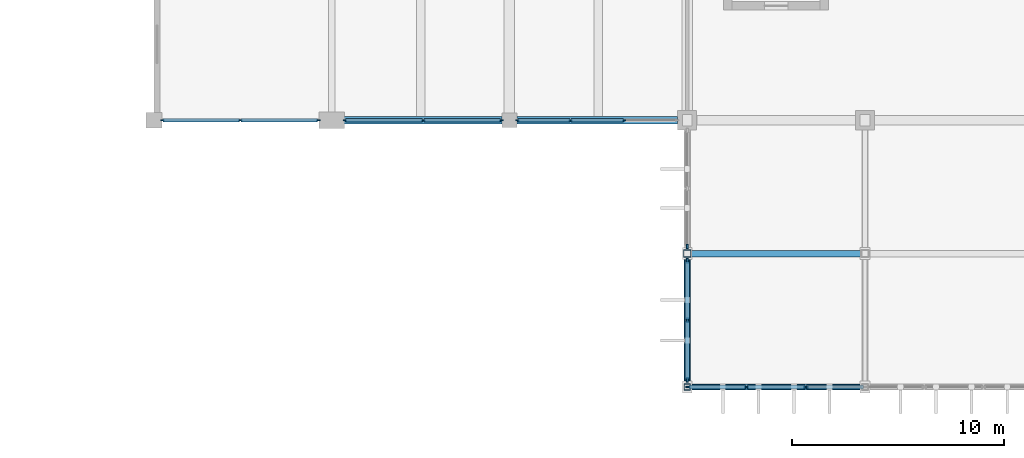
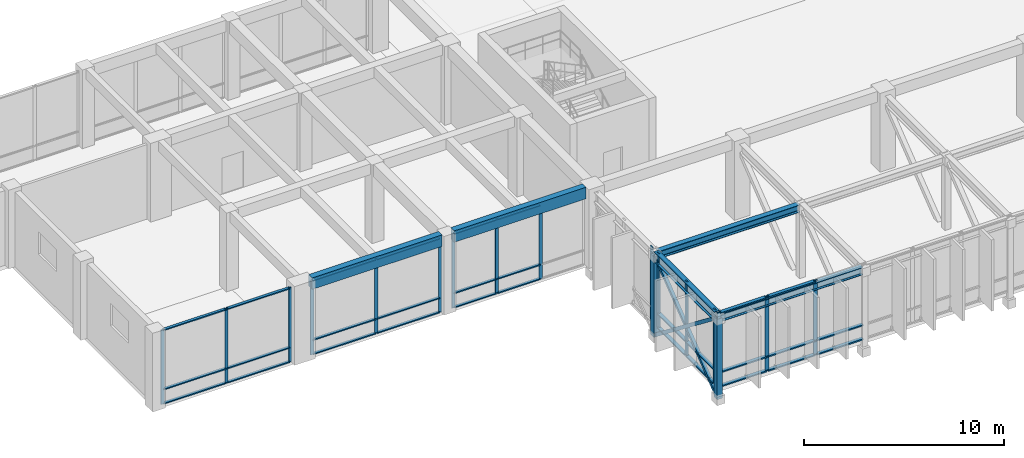
# One storey, part 4 of 51: 52 members, 5 beams, 6 elements without a shape of their own.
"""IFC4 building model written with IfcOpenShell, lengths in metres."""

from ifc_helpers import new_model, si_unit, direction, frame, origin, origin_2d, place, context, subcontext, project, spatial, rectangle, hollow_rectangle, i_section, extrude, material, material_profile, profile_set, type_object, element, aggregate, save


model = new_model("IFC4")

# Units and contexts
model_context = context("Model", 3, precision=1e-05, world=origin(), true_north=direction((0.0, 1.0)))
body_context = subcontext(model_context, "Body", "Model", "MODEL_VIEW")
ifc_project = project(units=[si_unit("LENGTHUNIT", "METRE"), si_unit("AREAUNIT", "SQUARE_METRE"), si_unit("VOLUMEUNIT", "CUBIC_METRE"), si_unit("PLANEANGLEUNIT", "RADIAN"), si_unit("MASSUNIT", "GRAM", prefix="KILO")], contexts=[model_context])

# Site, building, storey
site_placement = place(None, origin())
site = spatial("IfcSite", under=ifc_project, at=site_placement, CompositionType="ELEMENT")
building_placement = place(site_placement, origin())
building = spatial("IfcBuilding", under=site, at=building_placement, Name="Kenerak Square Central Library", CompositionType="ELEMENT")
storey_placement = place(building_placement, frame((0.0, 0.0, 9.60009765625)))
storey = spatial("IfcBuildingStorey", under=building, at=storey_placement, Name="L02", CompositionType="ELEMENT", Elevation=9.60009765625)

# Curtain wall, members
ifc_material_1 = material(Name="Anodised aluminium and solar-control low-E glazing", Category="aluminium")
curtain_wall_type_1 = type_object("IfcCurtainWallType", Name="Curtain Wall CW-V6-76x45 7600x4550", PredefinedType="USERDEFINED", material=ifc_material_1)
curtain_wall_1_placement = place(storey_placement, origin())
curtain_wall_1 = element("IfcCurtainWall", 1, at=curtain_wall_1_placement, inside=storey, type_object=curtain_wall_type_1, Name="Curtain Wall CW-V6-76x45 L02 0106", ObjectType="CURTAIN WALL", PredefinedType="USERDEFINED")
ifc_material_2 = material(Name="Anodised aluminium 6063-T6", Category="aluminium")
ifc_material_profile_1 = material_profile(ifc_material_2, rectangle(XDim=0.06494140625, YDim=0.179931640625, at=origin_2d()), Name="AL MULLION 65x180")
ifc_profile_set_1 = profile_set([ifc_material_profile_1], Name="Anodised aluminium 6063-T6")
member_type_1 = type_object("IfcMemberType", Name="Curtain Mullion CM-01 65x180", PredefinedType="MULLION", material=ifc_profile_set_1)
member_1_placement = place(storey_placement, frame((55.416748046875, 16.800048828125, 0.0), z_axis=(0.0, 0.0, 1.0), x_axis=(0.0, -1.0, 0.0)))
member_1 = element("IfcMember", 2, at=member_1_placement, type_object=member_type_1, Name="CW-V6-76x45 Mullion 2", PredefinedType="MULLION", context=body_context, shape_type="SweptSolid", body=[
    extrude(rectangle(XDim=0.06494140625, YDim=0.179931640625, at=origin_2d()), origin(), (0.0, 0.0, 1.0), 4.5498046875),
])
member_2_placement = place(storey_placement, frame((52.88330078125, 16.800048828125, 0.0), z_axis=(0.0, 0.0, 1.0), x_axis=(0.0, -1.0, 0.0)))
member_2 = element("IfcMember", 3, at=member_2_placement, type_object=member_type_1, Name="CW-V6-76x45 Mullion 3", PredefinedType="MULLION", context=body_context, shape_type="SweptSolid", body=[
    extrude(rectangle(XDim=0.06494140625, YDim=0.179931640625, at=origin_2d()), origin(), (0.0, 0.0, 1.0), 4.5498046875),
])
member_3_placement = place(storey_placement, frame((50.382568359375, 16.800048828125, 0.0), z_axis=(0.0, 0.0, 1.0), x_axis=(0.0, -1.0, 0.0)))
member_3 = element("IfcMember", 4, at=member_3_placement, type_object=member_type_1, Name="CW-V6-76x45 Mullion 4", PredefinedType="MULLION", context=body_context, shape_type="SweptSolid", body=[
    extrude(rectangle(XDim=0.06494140625, YDim=0.179931640625, at=origin_2d()), origin(), (0.0, 0.0, 1.0), 4.5498046875),
])

curtain_wall_type_2 = type_object("IfcCurtainWallType", Name="Curtain Wall CW-V6-74x45 7450x4550", PredefinedType="USERDEFINED", material=ifc_material_1)
curtain_wall_2_placement = place(storey_placement, origin())
curtain_wall_2 = element("IfcCurtainWall", 5, at=curtain_wall_2_placement, inside=storey, type_object=curtain_wall_type_2, Name="Curtain Wall CW-V6-74x45 L02 0107", ObjectType="CURTAIN WALL", PredefinedType="USERDEFINED")
member_4_placement = place(storey_placement, frame((49.617431640625, 16.800048828125, 0.0), z_axis=(0.0, 0.0, 1.0), x_axis=(0.0, -1.0, 0.0)))
member_4 = element("IfcMember", 6, at=member_4_placement, type_object=member_type_1, Name="CW-V6-74x45 Mullion 1", PredefinedType="MULLION", context=body_context, shape_type="SweptSolid", body=[
    extrude(rectangle(XDim=0.06494140625, YDim=0.179931640625, at=origin_2d()), origin(), (0.0, 0.0, 1.0), 4.5498046875),
])
member_5_placement = place(storey_placement, frame((45.925048828125, 16.800048828125, 0.0), z_axis=(0.0, 0.0, 1.0), x_axis=(0.0, -1.0, 0.0)))
member_5 = element("IfcMember", 7, at=member_5_placement, type_object=member_type_1, Name="CW-V6-74x45 Mullion 2", PredefinedType="MULLION", context=body_context, shape_type="SweptSolid", body=[
    extrude(rectangle(XDim=0.06494140625, YDim=0.179931640625, at=origin_2d()), origin(), (0.0, 0.0, 1.0), 4.5498046875),
])
member_6_placement = place(storey_placement, frame((42.232421875, 16.800048828125, 0.0), z_axis=(0.0, 0.0, 1.0), x_axis=(0.0, -1.0, 0.0)))
member_6 = element("IfcMember", 8, at=member_6_placement, type_object=member_type_1, Name="CW-V6-74x45 Mullion 3", PredefinedType="MULLION", context=body_context, shape_type="SweptSolid", body=[
    extrude(rectangle(XDim=0.06494140625, YDim=0.179931640625, at=origin_2d()), origin(), (0.0, 0.0, 1.0), 4.5498046875),
])

curtain_wall_type_3 = type_object("IfcCurtainWallType", Name="Curtain Wall CW-V6-74x45 7425x4550", PredefinedType="USERDEFINED", material=ifc_material_1)
curtain_wall_3_placement = place(storey_placement, origin())
curtain_wall_3 = element("IfcCurtainWall", 9, at=curtain_wall_3_placement, inside=storey, type_object=curtain_wall_type_3, Name="Curtain Wall CW-V6-74x45 L02 0108", ObjectType="CURTAIN WALL", PredefinedType="USERDEFINED")
member_7_placement = place(storey_placement, frame((40.967529296875, 16.800048828125, 0.0), z_axis=(0.0, 0.0, 1.0), x_axis=(0.0, -1.0, 0.0)))
member_7 = element("IfcMember", 10, at=member_7_placement, type_object=member_type_1, Name="CW-V6-74x45 Mullion 1", PredefinedType="MULLION", context=body_context, shape_type="SweptSolid", body=[
    extrude(rectangle(XDim=0.06494140625, YDim=0.179931640625, at=origin_2d()), origin(), (0.0, 0.0, 1.0), 4.5498046875),
])
member_8_placement = place(storey_placement, frame((37.28759765625, 16.800048828125, 0.0), z_axis=(0.0, 0.0, 1.0), x_axis=(0.0, -1.0, 0.0)))
member_8 = element("IfcMember", 11, at=member_8_placement, type_object=member_type_1, Name="CW-V6-74x45 Mullion 2", PredefinedType="MULLION", context=body_context, shape_type="SweptSolid", body=[
    extrude(rectangle(XDim=0.06494140625, YDim=0.179931640625, at=origin_2d()), origin(), (0.0, 0.0, 1.0), 4.5498046875),
])
member_9_placement = place(storey_placement, frame((33.607421875, 16.800048828125, 0.0), z_axis=(0.0, 0.0, 1.0), x_axis=(0.0, -1.0, 0.0)))
member_9 = element("IfcMember", 12, at=member_9_placement, type_object=member_type_1, Name="CW-V6-74x45 Mullion 3", PredefinedType="MULLION", context=body_context, shape_type="SweptSolid", body=[
    extrude(rectangle(XDim=0.06494140625, YDim=0.179931640625, at=origin_2d()), origin(), (0.0, 0.0, 1.0), 4.5498046875),
])

curtain_wall_type_4 = type_object("IfcCurtainWallType", Name="Curtain Wall CW-V1-84x45 8400x4550", PredefinedType="USERDEFINED", material=ifc_material_1)
curtain_wall_4_placement = place(storey_placement, origin())
curtain_wall_4 = element("IfcCurtainWall", 13, at=curtain_wall_4_placement, inside=storey, type_object=curtain_wall_type_4, Name="Curtain Wall CW-V1-84x45 L02 0103", ObjectType="CURTAIN WALL", PredefinedType="USERDEFINED")
ifc_material_profile_2 = material_profile(ifc_material_2, rectangle(XDim=0.074951171875, YDim=0.219970703125, at=origin_2d()), Name="AL MULLION 75x220")
ifc_profile_set_2 = profile_set([ifc_material_profile_2], Name="Anodised aluminium 6063-T6")
member_type_2 = type_object("IfcMemberType", Name="Curtain Mullion CM-02 75x220", PredefinedType="MULLION", material=ifc_profile_set_2)
member_10_placement = place(storey_placement, frame((64.0, 4.199951171875, 0.0), z_axis=(0.0, 0.0, 1.0), x_axis=(0.0, -1.0, 0.0)))
member_10 = element("IfcMember", 14, at=member_10_placement, type_object=member_type_2, Name="CW-V1-84x45 Mullion 2", PredefinedType="MULLION", context=body_context, shape_type="SweptSolid", body=[
    extrude(rectangle(XDim=0.074951171875, YDim=0.219970703125, at=origin_2d()), origin(), (0.0, 0.0, 1.0), 4.5498046875),
])
member_11_placement = place(storey_placement, frame((61.199951171875, 4.199951171875, 0.0), z_axis=(0.0, 0.0, 1.0), x_axis=(0.0, -1.0, 0.0)))
member_11 = element("IfcMember", 15, at=member_11_placement, type_object=member_type_2, Name="CW-V1-84x45 Mullion 3", PredefinedType="MULLION", context=body_context, shape_type="SweptSolid", body=[
    extrude(rectangle(XDim=0.074951171875, YDim=0.219970703125, at=origin_2d()), origin(), (0.0, 0.0, 1.0), 4.5498046875),
])
member_12_placement = place(storey_placement, frame((58.4375, 4.199951171875, 0.0), z_axis=(0.0, 0.0, 1.0), x_axis=(0.0, -1.0, 0.0)))
member_12 = element("IfcMember", 16, at=member_12_placement, type_object=member_type_2, Name="CW-V1-84x45 Mullion 4", PredefinedType="MULLION", context=body_context, shape_type="SweptSolid", body=[
    extrude(rectangle(XDim=0.074951171875, YDim=0.219970703125, at=origin_2d()), origin(), (0.0, 0.0, 1.0), 4.5498046875),
])

curtain_wall_type_5 = type_object("IfcCurtainWallType", Name="Curtain Wall CW-V1-57x45 5700x4550", PredefinedType="USERDEFINED", material=ifc_material_1)
curtain_wall_5_placement = place(storey_placement, origin())
curtain_wall_5 = element("IfcCurtainWall", 17, at=curtain_wall_5_placement, inside=storey, type_object=curtain_wall_type_5, Name="Curtain Wall CW-V1-57x45 L02 0104", ObjectType="CURTAIN WALL", PredefinedType="USERDEFINED")
member_13_placement = place(storey_placement, frame((58.39990234375, 4.53759765625, 0.0), z_axis=(0.0, 0.0, 1.0), x_axis=(-1.0, 0.0, 0.0)))
member_13 = element("IfcMember", 18, at=member_13_placement, type_object=member_type_2, Name="CW-V1-57x45 Mullion 1", PredefinedType="MULLION", context=body_context, shape_type="SweptSolid", body=[
    extrude(rectangle(XDim=0.074951171875, YDim=0.219970703125, at=origin_2d()), origin(), (0.0, 0.0, 1.0), 4.5498046875),
])
member_14_placement = place(storey_placement, frame((58.39990234375, 7.35009765625, 0.0), z_axis=(0.0, 0.0, 1.0), x_axis=(-1.0, 0.0, 0.0)))
member_14 = element("IfcMember", 19, at=member_14_placement, type_object=member_type_2, Name="CW-V1-57x45 Mullion 2", PredefinedType="MULLION", context=body_context, shape_type="SweptSolid", body=[
    extrude(rectangle(XDim=0.074951171875, YDim=0.219970703125, at=origin_2d()), origin(), (0.0, 0.0, 1.0), 4.5498046875),
])
member_15_placement = place(storey_placement, frame((58.39990234375, 10.16259765625, 0.0), z_axis=(0.0, 0.0, 1.0), x_axis=(-1.0, 0.0, 0.0)))
member_15 = element("IfcMember", 20, at=member_15_placement, type_object=member_type_2, Name="CW-V1-57x45 Mullion 3", PredefinedType="MULLION", context=body_context, shape_type="SweptSolid", body=[
    extrude(rectangle(XDim=0.074951171875, YDim=0.219970703125, at=origin_2d()), origin(), (0.0, 0.0, 1.0), 4.5498046875),
])

# Curtain wall, member
curtain_wall_type_6 = type_object("IfcCurtainWallType", Name="Curtain Wall CW-V1-55x45 5550x4550", PredefinedType="USERDEFINED", material=ifc_material_1)
curtain_wall_6_placement = place(storey_placement, origin())
curtain_wall_6 = element("IfcCurtainWall", 21, at=curtain_wall_6_placement, inside=storey, type_object=curtain_wall_type_6, Name="Curtain Wall CW-V1-55x45 L02 0105", ObjectType="CURTAIN WALL", PredefinedType="USERDEFINED")
member_16_placement = place(storey_placement, frame((58.39990234375, 10.83740234375, 0.0), z_axis=(0.0, 0.0, 1.0), x_axis=(-1.0, 0.0, 0.0)))
member_16 = element("IfcMember", 22, at=member_16_placement, type_object=member_type_2, Name="CW-V1-55x45 Mullion 1", PredefinedType="MULLION", context=body_context, shape_type="SweptSolid", body=[
    extrude(rectangle(XDim=0.074951171875, YDim=0.219970703125, at=origin_2d()), origin(), (0.0, 0.0, 1.0), 4.5498046875),
])
aggregate(curtain_wall_6, [member_16])

# Member
ifc_material_profile_3 = material_profile(ifc_material_2, rectangle(XDim=0.159912109375, YDim=0.06494140625, at=origin_2d()), Name="AL TRANSOM 160x65")
ifc_profile_set_3 = profile_set([ifc_material_profile_3], Name="Anodised aluminium 6063-T6")
member_type_3 = type_object("IfcMemberType", Name="Curtain Transom CT-11 160x65", PredefinedType="USERDEFINED", material=ifc_profile_set_3)
member_17_placement = place(storey_placement, frame((55.38427734375, 16.800048828125, 0.032470703125), z_axis=(-1.0, 0.0, 0.0), x_axis=(0.0, -1.0, 0.0)))
member_17 = element("IfcMember", 23, at=member_17_placement, type_object=member_type_3, Name="CW-V6-76x45 Transom 2.1", ObjectType="TRANSOM", PredefinedType="USERDEFINED", context=body_context, shape_type="SweptSolid", body=[
    extrude(rectangle(XDim=0.159912109375, YDim=0.06494140625, at=origin_2d()), origin(), (0.0, 0.0, 1.0), 2.468505859375),
])

member_18_placement = place(storey_placement, frame((55.38427734375, 16.800048828125, 0.89990234375), z_axis=(-1.0, 0.0, 0.0), x_axis=(0.0, -1.0, 0.0)))
member_18 = element("IfcMember", 24, at=member_18_placement, type_object=member_type_3, Name="CW-V6-76x45 Transom 2.2", ObjectType="TRANSOM", PredefinedType="USERDEFINED", context=body_context, shape_type="SweptSolid", body=[
    extrude(rectangle(XDim=0.159912109375, YDim=0.06494140625, at=origin_2d()), origin(), (0.0, 0.0, 1.0), 2.468505859375),
])

member_19_placement = place(storey_placement, frame((55.38427734375, 16.800048828125, 4.517333984375), z_axis=(-1.0, 0.0, 0.0), x_axis=(0.0, -1.0, 0.0)))
member_19 = element("IfcMember", 25, at=member_19_placement, type_object=member_type_3, Name="CW-V6-76x45 Transom 2.3", ObjectType="TRANSOM", PredefinedType="USERDEFINED", context=body_context, shape_type="SweptSolid", body=[
    extrude(rectangle(XDim=0.159912109375, YDim=0.06494140625, at=origin_2d()), origin(), (0.0, 0.0, 1.0), 2.468505859375),
])

member_20_placement = place(storey_placement, frame((52.850830078125, 16.800048828125, 0.032470703125), z_axis=(-1.0, 0.0, 0.0), x_axis=(0.0, -1.0, 0.0)))
member_20 = element("IfcMember", 26, at=member_20_placement, type_object=member_type_3, Name="CW-V6-76x45 Transom 3.1", ObjectType="TRANSOM", PredefinedType="USERDEFINED", context=body_context, shape_type="SweptSolid", body=[
    extrude(rectangle(XDim=0.159912109375, YDim=0.06494140625, at=origin_2d()), origin(), (0.0, 0.0, 1.0), 2.435791015625),
])

member_21_placement = place(storey_placement, frame((52.850830078125, 16.800048828125, 0.89990234375), z_axis=(-1.0, 0.0, 0.0), x_axis=(0.0, -1.0, 0.0)))
member_21 = element("IfcMember", 27, at=member_21_placement, type_object=member_type_3, Name="CW-V6-76x45 Transom 3.2", ObjectType="TRANSOM", PredefinedType="USERDEFINED", context=body_context, shape_type="SweptSolid", body=[
    extrude(rectangle(XDim=0.159912109375, YDim=0.06494140625, at=origin_2d()), origin(), (0.0, 0.0, 1.0), 2.435791015625),
])

member_22_placement = place(storey_placement, frame((52.850830078125, 16.800048828125, 4.517333984375), z_axis=(-1.0, 0.0, 0.0), x_axis=(0.0, -1.0, 0.0)))
member_22 = element("IfcMember", 28, at=member_22_placement, type_object=member_type_3, Name="CW-V6-76x45 Transom 3.3", ObjectType="TRANSOM", PredefinedType="USERDEFINED", context=body_context, shape_type="SweptSolid", body=[
    extrude(rectangle(XDim=0.159912109375, YDim=0.06494140625, at=origin_2d()), origin(), (0.0, 0.0, 1.0), 2.435791015625),
])

aggregate(curtain_wall_1, [member_1, member_2, member_3, member_17, member_18, member_19, member_20, member_21, member_22])

member_23_placement = place(storey_placement, frame((49.5849609375, 16.800048828125, 0.032470703125), z_axis=(-1.0, 0.0, 0.0), x_axis=(0.0, -1.0, 0.0)))
member_23 = element("IfcMember", 29, at=member_23_placement, type_object=member_type_3, Name="CW-V6-74x45 Transom 1.1", ObjectType="TRANSOM", PredefinedType="USERDEFINED", context=body_context, shape_type="SweptSolid", body=[
    extrude(rectangle(XDim=0.159912109375, YDim=0.06494140625, at=origin_2d()), origin(), (0.0, 0.0, 1.0), 3.62744140625),
])

member_24_placement = place(storey_placement, frame((49.5849609375, 16.800048828125, 0.89990234375), z_axis=(-1.0, 0.0, 0.0), x_axis=(0.0, -1.0, 0.0)))
member_24 = element("IfcMember", 30, at=member_24_placement, type_object=member_type_3, Name="CW-V6-74x45 Transom 1.2", ObjectType="TRANSOM", PredefinedType="USERDEFINED", context=body_context, shape_type="SweptSolid", body=[
    extrude(rectangle(XDim=0.159912109375, YDim=0.06494140625, at=origin_2d()), origin(), (0.0, 0.0, 1.0), 3.62744140625),
])

member_25_placement = place(storey_placement, frame((49.5849609375, 16.800048828125, 4.517333984375), z_axis=(-1.0, 0.0, 0.0), x_axis=(0.0, -1.0, 0.0)))
member_25 = element("IfcMember", 31, at=member_25_placement, type_object=member_type_3, Name="CW-V6-74x45 Transom 1.3", ObjectType="TRANSOM", PredefinedType="USERDEFINED", context=body_context, shape_type="SweptSolid", body=[
    extrude(rectangle(XDim=0.159912109375, YDim=0.06494140625, at=origin_2d()), origin(), (0.0, 0.0, 1.0), 3.62744140625),
])

member_26_placement = place(storey_placement, frame((45.892578125, 16.800048828125, 0.032470703125), z_axis=(-1.0, 0.0, 0.0), x_axis=(0.0, -1.0, 0.0)))
member_26 = element("IfcMember", 32, at=member_26_placement, type_object=member_type_3, Name="CW-V6-74x45 Transom 2.1", ObjectType="TRANSOM", PredefinedType="USERDEFINED", context=body_context, shape_type="SweptSolid", body=[
    extrude(rectangle(XDim=0.159912109375, YDim=0.06494140625, at=origin_2d()), origin(), (0.0, 0.0, 1.0), 3.627685546875),
])

member_27_placement = place(storey_placement, frame((45.892578125, 16.800048828125, 0.89990234375), z_axis=(-1.0, 0.0, 0.0), x_axis=(0.0, -1.0, 0.0)))
member_27 = element("IfcMember", 33, at=member_27_placement, type_object=member_type_3, Name="CW-V6-74x45 Transom 2.2", ObjectType="TRANSOM", PredefinedType="USERDEFINED", context=body_context, shape_type="SweptSolid", body=[
    extrude(rectangle(XDim=0.159912109375, YDim=0.06494140625, at=origin_2d()), origin(), (0.0, 0.0, 1.0), 3.627685546875),
])

member_28_placement = place(storey_placement, frame((45.892578125, 16.800048828125, 4.517333984375), z_axis=(-1.0, 0.0, 0.0), x_axis=(0.0, -1.0, 0.0)))
member_28 = element("IfcMember", 34, at=member_28_placement, type_object=member_type_3, Name="CW-V6-74x45 Transom 2.3", ObjectType="TRANSOM", PredefinedType="USERDEFINED", context=body_context, shape_type="SweptSolid", body=[
    extrude(rectangle(XDim=0.159912109375, YDim=0.06494140625, at=origin_2d()), origin(), (0.0, 0.0, 1.0), 3.627685546875),
])

aggregate(curtain_wall_2, [member_4, member_5, member_6, member_23, member_24, member_25, member_26, member_27, member_28])

member_29_placement = place(storey_placement, frame((40.93505859375, 16.800048828125, 0.032470703125), z_axis=(-1.0, 0.0, 0.0), x_axis=(0.0, -1.0, 0.0)))
member_29 = element("IfcMember", 35, at=member_29_placement, type_object=member_type_3, Name="CW-V6-74x45 Transom 1.1", ObjectType="TRANSOM", PredefinedType="USERDEFINED", context=body_context, shape_type="SweptSolid", body=[
    extrude(rectangle(XDim=0.159912109375, YDim=0.06494140625, at=origin_2d()), origin(), (0.0, 0.0, 1.0), 3.614990234375),
])

member_30_placement = place(storey_placement, frame((40.93505859375, 16.800048828125, 0.89990234375), z_axis=(-1.0, 0.0, 0.0), x_axis=(0.0, -1.0, 0.0)))
member_30 = element("IfcMember", 36, at=member_30_placement, type_object=member_type_3, Name="CW-V6-74x45 Transom 1.2", ObjectType="TRANSOM", PredefinedType="USERDEFINED", context=body_context, shape_type="SweptSolid", body=[
    extrude(rectangle(XDim=0.159912109375, YDim=0.06494140625, at=origin_2d()), origin(), (0.0, 0.0, 1.0), 3.614990234375),
])

member_31_placement = place(storey_placement, frame((40.93505859375, 16.800048828125, 4.517333984375), z_axis=(-1.0, 0.0, 0.0), x_axis=(0.0, -1.0, 0.0)))
member_31 = element("IfcMember", 37, at=member_31_placement, type_object=member_type_3, Name="CW-V6-74x45 Transom 1.3", ObjectType="TRANSOM", PredefinedType="USERDEFINED", context=body_context, shape_type="SweptSolid", body=[
    extrude(rectangle(XDim=0.159912109375, YDim=0.06494140625, at=origin_2d()), origin(), (0.0, 0.0, 1.0), 3.614990234375),
])

member_32_placement = place(storey_placement, frame((37.2548828125, 16.800048828125, 0.032470703125), z_axis=(-1.0, 0.0, 0.0), x_axis=(0.0, -1.0, 0.0)))
member_32 = element("IfcMember", 38, at=member_32_placement, type_object=member_type_3, Name="CW-V6-74x45 Transom 2.1", ObjectType="TRANSOM", PredefinedType="USERDEFINED", context=body_context, shape_type="SweptSolid", body=[
    extrude(rectangle(XDim=0.159912109375, YDim=0.06494140625, at=origin_2d()), origin(), (0.0, 0.0, 1.0), 3.614990234375),
])

member_33_placement = place(storey_placement, frame((37.2548828125, 16.800048828125, 0.89990234375), z_axis=(-1.0, 0.0, 0.0), x_axis=(0.0, -1.0, 0.0)))
member_33 = element("IfcMember", 39, at=member_33_placement, type_object=member_type_3, Name="CW-V6-74x45 Transom 2.2", ObjectType="TRANSOM", PredefinedType="USERDEFINED", context=body_context, shape_type="SweptSolid", body=[
    extrude(rectangle(XDim=0.159912109375, YDim=0.06494140625, at=origin_2d()), origin(), (0.0, 0.0, 1.0), 3.614990234375),
])

member_34_placement = place(storey_placement, frame((37.2548828125, 16.800048828125, 4.517333984375), z_axis=(-1.0, 0.0, 0.0), x_axis=(0.0, -1.0, 0.0)))
member_34 = element("IfcMember", 40, at=member_34_placement, type_object=member_type_3, Name="CW-V6-74x45 Transom 2.3", ObjectType="TRANSOM", PredefinedType="USERDEFINED", context=body_context, shape_type="SweptSolid", body=[
    extrude(rectangle(XDim=0.159912109375, YDim=0.06494140625, at=origin_2d()), origin(), (0.0, 0.0, 1.0), 3.614990234375),
])

aggregate(curtain_wall_3, [member_7, member_8, member_9, member_29, member_30, member_31, member_32, member_33, member_34])

ifc_material_profile_4 = material_profile(ifc_material_2, rectangle(XDim=0.199951171875, YDim=0.074951171875, at=origin_2d()), Name="AL TRANSOM 200x75")
ifc_profile_set_4 = profile_set([ifc_material_profile_4], Name="Anodised aluminium 6063-T6")
member_type_4 = type_object("IfcMemberType", Name="Curtain Transom CT-12 200x75", PredefinedType="USERDEFINED", material=ifc_profile_set_4)
member_35_placement = place(storey_placement, frame((66.72509765625, 4.199951171875, 0.037353515625), z_axis=(-1.0, 0.0, 0.0), x_axis=(0.0, -1.0, 0.0)))
member_35 = element("IfcMember", 41, at=member_35_placement, type_object=member_type_4, Name="CW-V1-84x45 Transom 1.1", ObjectType="TRANSOM", PredefinedType="USERDEFINED", context=body_context, shape_type="SweptSolid", body=[
    extrude(rectangle(XDim=0.199951171875, YDim=0.074951171875, at=origin_2d()), origin(), (0.0, 0.0, 1.0), 2.6875),
])

member_36_placement = place(storey_placement, frame((66.72509765625, 4.199951171875, 0.89990234375), z_axis=(-1.0, 0.0, 0.0), x_axis=(0.0, -1.0, 0.0)))
member_36 = element("IfcMember", 42, at=member_36_placement, type_object=member_type_4, Name="CW-V1-84x45 Transom 1.2", ObjectType="TRANSOM", PredefinedType="USERDEFINED", context=body_context, shape_type="SweptSolid", body=[
    extrude(rectangle(XDim=0.199951171875, YDim=0.074951171875, at=origin_2d()), origin(), (0.0, 0.0, 1.0), 2.6875),
])

member_37_placement = place(storey_placement, frame((63.96240234375, 4.199951171875, 0.037353515625), z_axis=(-1.0, 0.0, 0.0), x_axis=(0.0, -1.0, 0.0)))
member_37 = element("IfcMember", 43, at=member_37_placement, type_object=member_type_4, Name="CW-V1-84x45 Transom 2.1", ObjectType="TRANSOM", PredefinedType="USERDEFINED", context=body_context, shape_type="SweptSolid", body=[
    extrude(rectangle(XDim=0.199951171875, YDim=0.074951171875, at=origin_2d()), origin(), (0.0, 0.0, 1.0), 2.724853515625),
])

member_38_placement = place(storey_placement, frame((63.96240234375, 4.199951171875, 0.89990234375), z_axis=(-1.0, 0.0, 0.0), x_axis=(0.0, -1.0, 0.0)))
member_38 = element("IfcMember", 44, at=member_38_placement, type_object=member_type_4, Name="CW-V1-84x45 Transom 2.2", ObjectType="TRANSOM", PredefinedType="USERDEFINED", context=body_context, shape_type="SweptSolid", body=[
    extrude(rectangle(XDim=0.199951171875, YDim=0.074951171875, at=origin_2d()), origin(), (0.0, 0.0, 1.0), 2.724853515625),
])

member_39_placement = place(storey_placement, frame((63.96240234375, 4.199951171875, 4.512451171875), z_axis=(-1.0, 0.0, 0.0), x_axis=(0.0, -1.0, 0.0)))
member_39 = element("IfcMember", 45, at=member_39_placement, type_object=member_type_4, Name="CW-V1-84x45 Transom 2.3", ObjectType="TRANSOM", PredefinedType="USERDEFINED", context=body_context, shape_type="SweptSolid", body=[
    extrude(rectangle(XDim=0.199951171875, YDim=0.074951171875, at=origin_2d()), origin(), (0.0, 0.0, 1.0), 2.724853515625),
])

member_40_placement = place(storey_placement, frame((61.16259765625, 4.199951171875, 0.037353515625), z_axis=(-1.0, 0.0, 0.0), x_axis=(0.0, -1.0, 0.0)))
member_40 = element("IfcMember", 46, at=member_40_placement, type_object=member_type_4, Name="CW-V1-84x45 Transom 3.1", ObjectType="TRANSOM", PredefinedType="USERDEFINED", context=body_context, shape_type="SweptSolid", body=[
    extrude(rectangle(XDim=0.199951171875, YDim=0.074951171875, at=origin_2d()), origin(), (0.0, 0.0, 1.0), 2.6875),
])

member_41_placement = place(storey_placement, frame((61.16259765625, 4.199951171875, 0.89990234375), z_axis=(-1.0, 0.0, 0.0), x_axis=(0.0, -1.0, 0.0)))
member_41 = element("IfcMember", 47, at=member_41_placement, type_object=member_type_4, Name="CW-V1-84x45 Transom 3.2", ObjectType="TRANSOM", PredefinedType="USERDEFINED", context=body_context, shape_type="SweptSolid", body=[
    extrude(rectangle(XDim=0.199951171875, YDim=0.074951171875, at=origin_2d()), origin(), (0.0, 0.0, 1.0), 2.6875),
])

member_42_placement = place(storey_placement, frame((61.16259765625, 4.199951171875, 4.512451171875), z_axis=(-1.0, 0.0, 0.0), x_axis=(0.0, -1.0, 0.0)))
member_42 = element("IfcMember", 48, at=member_42_placement, type_object=member_type_4, Name="CW-V1-84x45 Transom 3.3", ObjectType="TRANSOM", PredefinedType="USERDEFINED", context=body_context, shape_type="SweptSolid", body=[
    extrude(rectangle(XDim=0.199951171875, YDim=0.074951171875, at=origin_2d()), origin(), (0.0, 0.0, 1.0), 2.6875),
])

aggregate(curtain_wall_4, [member_10, member_11, member_12, member_35, member_36, member_37, member_38, member_39, member_40, member_41, member_42])

member_43_placement = place(storey_placement, frame((58.39990234375, 4.574951171875, 0.037353515625), z_axis=(0.0, 1.0, 0.0), x_axis=(-1.0, 0.0, 0.0)))
member_43 = element("IfcMember", 49, at=member_43_placement, type_object=member_type_4, Name="CW-V1-57x45 Transom 1.1", ObjectType="TRANSOM", PredefinedType="USERDEFINED", context=body_context, shape_type="SweptSolid", body=[
    extrude(rectangle(XDim=0.199951171875, YDim=0.074951171875, at=origin_2d()), origin(), (0.0, 0.0, 1.0), 2.737548828125),
])

member_44_placement = place(storey_placement, frame((58.39990234375, 4.574951171875, 0.89990234375), z_axis=(0.0, 1.0, 0.0), x_axis=(-1.0, 0.0, 0.0)))
member_44 = element("IfcMember", 50, at=member_44_placement, type_object=member_type_4, Name="CW-V1-57x45 Transom 1.2", ObjectType="TRANSOM", PredefinedType="USERDEFINED", context=body_context, shape_type="SweptSolid", body=[
    extrude(rectangle(XDim=0.199951171875, YDim=0.074951171875, at=origin_2d()), origin(), (0.0, 0.0, 1.0), 2.737548828125),
])

member_45_placement = place(storey_placement, frame((58.39990234375, 4.574951171875, 4.512451171875), z_axis=(0.0, 1.0, 0.0), x_axis=(-1.0, 0.0, 0.0)))
member_45 = element("IfcMember", 51, at=member_45_placement, type_object=member_type_4, Name="CW-V1-57x45 Transom 1.3", ObjectType="TRANSOM", PredefinedType="USERDEFINED", context=body_context, shape_type="SweptSolid", body=[
    extrude(rectangle(XDim=0.199951171875, YDim=0.074951171875, at=origin_2d()), origin(), (0.0, 0.0, 1.0), 2.737548828125),
])

member_46_placement = place(storey_placement, frame((58.39990234375, 7.387451171875, 0.037353515625), z_axis=(0.0, 1.0, 0.0), x_axis=(-1.0, 0.0, 0.0)))
member_46 = element("IfcMember", 52, at=member_46_placement, type_object=member_type_4, Name="CW-V1-57x45 Transom 2.1", ObjectType="TRANSOM", PredefinedType="USERDEFINED", context=body_context, shape_type="SweptSolid", body=[
    extrude(rectangle(XDim=0.199951171875, YDim=0.074951171875, at=origin_2d()), origin(), (0.0, 0.0, 1.0), 2.737548828125),
])

member_47_placement = place(storey_placement, frame((58.39990234375, 7.387451171875, 0.89990234375), z_axis=(0.0, 1.0, 0.0), x_axis=(-1.0, 0.0, 0.0)))
member_47 = element("IfcMember", 53, at=member_47_placement, type_object=member_type_4, Name="CW-V1-57x45 Transom 2.2", ObjectType="TRANSOM", PredefinedType="USERDEFINED", context=body_context, shape_type="SweptSolid", body=[
    extrude(rectangle(XDim=0.199951171875, YDim=0.074951171875, at=origin_2d()), origin(), (0.0, 0.0, 1.0), 2.737548828125),
])

member_48_placement = place(storey_placement, frame((58.39990234375, 7.387451171875, 4.512451171875), z_axis=(0.0, 1.0, 0.0), x_axis=(-1.0, 0.0, 0.0)))
member_48 = element("IfcMember", 54, at=member_48_placement, type_object=member_type_4, Name="CW-V1-57x45 Transom 2.3", ObjectType="TRANSOM", PredefinedType="USERDEFINED", context=body_context, shape_type="SweptSolid", body=[
    extrude(rectangle(XDim=0.199951171875, YDim=0.074951171875, at=origin_2d()), origin(), (0.0, 0.0, 1.0), 2.737548828125),
])

aggregate(curtain_wall_5, [member_13, member_14, member_15, member_43, member_44, member_45, member_46, member_47, member_48])

# Beams
ifc_material_3 = material(Name="Concrete C40/50", Category="concrete")
ifc_material_profile_5 = material_profile(ifc_material_3, rectangle(XDim=0.35009765625, YDim=0.699951171875, at=origin_2d()), Name="RC 350x700")
ifc_profile_set_5 = profile_set([ifc_material_profile_5], Name="Concrete C40/50")
beam_type_1 = type_object("IfcBeamType", Name="Expressed Spandrel Beam SP-01 RC 350x700 C40/50", PredefinedType="SPANDREL", material=ifc_profile_set_5)
beam_1_placement = place(storey_placement, frame((42.14990234375, 16.800048828125, 4.449951171875), z_axis=(1.0, 0.0, 0.0), x_axis=(0.0, 1.0, 0.0)))
element("IfcBeam", 55, at=beam_1_placement, inside=storey, type_object=beam_type_1, Name="Beam SP-01 L02 1188", PredefinedType="SPANDREL", context=body_context, shape_type="SweptSolid", body=[
    extrude(rectangle(XDim=0.35009765625, YDim=0.699951171875, at=origin_2d()), origin(), (0.0, 0.0, 1.0), 7.5),
])
beam_2_placement = place(storey_placement, frame((50.35009765625, 16.800048828125, 4.449951171875), z_axis=(1.0, 0.0, 0.0), x_axis=(0.0, 1.0, 0.0)))
element("IfcBeam", 56, at=beam_2_placement, inside=storey, type_object=beam_type_1, Name="Beam SP-01 L02 1189", PredefinedType="SPANDREL", context=body_context, shape_type="SweptSolid", body=[
    extrude(rectangle(XDim=0.35009765625, YDim=0.699951171875, at=origin_2d()), origin(), (0.0, 0.0, 1.0), 7.599853515625),
])
ifc_material_4 = material(Name="Steel S355", Category="steel")
ifc_material_profile_6 = material_profile(ifc_material_4, i_section(OverallWidth=0.300048828125, OverallDepth=0.449951171875, WebThickness=0.013916015625, FlangeThickness=0.02587890625, FilletRadius=0.027099609375, at=origin_2d()), Name="HEB 450")
ifc_profile_set_6 = profile_set([ifc_material_profile_6], Name="Steel S355")
beam_type_2 = type_object("IfcBeamType", Name="Overhang Cross Girder SB-04 HEB 450 S355", PredefinedType="BEAM", material=ifc_profile_set_6)
for number, where, z_axis, x_axis, name in (
    (57, (58.52001953125, 4.199951171875, 4.25), (1.0, 0.0, 0.0), (0.0, 1.0, 0.0), "Overhang Cross Girder SB-04 L02 1719"),
    (58, (58.52001953125, 10.5, 4.25), (1.0, 0.0, 0.0), (0.0, 1.0, 0.0), "Overhang Cross Girder SB-04 L02 1726"),
):
    element("IfcBeam", number, at=place(storey_placement, frame(where, z_axis=z_axis, x_axis=x_axis)), inside=storey, type_object=beam_type_2, Name=name, PredefinedType="BEAM", context=body_context, shape_type="SweptSolid", body=[
        extrude(i_section(OverallWidth=0.300048828125, OverallDepth=0.449951171875, WebThickness=0.013916015625, FlangeThickness=0.02587890625, FilletRadius=0.027099609375, at=origin_2d()), origin(), (0.0, 0.0, 1.0), 8.159912109375),
    ])
ifc_material_profile_7 = material_profile(ifc_material_4, i_section(OverallWidth=0.300048828125, OverallDepth=0.60009765625, WebThickness=0.015380859375, FlangeThickness=0.030029296875, FilletRadius=0.027099609375, at=origin_2d()), Name="HEB 600")
ifc_profile_set_7 = profile_set([ifc_material_profile_7], Name="Steel S355")
beam_type_3 = type_object("IfcBeamType", Name="Overhang Truss Chord SB-02 HEB 600 S355", PredefinedType="BEAM", material=ifc_profile_set_7)
beam_3_placement = place(storey_placement, frame((58.39990234375, 4.320068359375, 4.25), z_axis=(0.0, 1.0, 0.0), x_axis=(-1.0, 0.0, 0.0)))
element("IfcBeam", 59, at=beam_3_placement, inside=storey, type_object=beam_type_3, Name="Wall-Truss Chord 1 L02 005", PredefinedType="BEAM", context=body_context, shape_type="SweptSolid", body=[
    extrude(i_section(OverallWidth=0.300048828125, OverallDepth=0.60009765625, WebThickness=0.015380859375, FlangeThickness=0.030029296875, FilletRadius=0.027099609375, at=origin_2d()), origin(), (0.0, 0.0, 1.0), 6.059814453125),
])

# Members
ifc_material_profile_8 = material_profile(ifc_material_4, hollow_rectangle(XDim=0.179931640625, YDim=0.179931640625, WallThickness=0.008056640625, at=origin_2d()), Name="SHS 180x180x8.0")
ifc_profile_set_8 = profile_set([ifc_material_profile_8], Name="Steel S355")
member_type_5 = type_object("IfcMemberType", Name="Overhang Web Tie TM-06 SHS 180x180x8 S355", PredefinedType="STRUT", material=ifc_profile_set_8)
member_49_placement = place(storey_placement, frame((58.39990234375, 4.199951171875, -0.650146484375), z_axis=(0.0, 0.78934562896, 0.613949084242), x_axis=(-1.0, 0.0, 0.0)))
element("IfcMember", 60, at=member_49_placement, inside=storey, type_object=member_type_5, Name="Wall-Truss Diagonal 1 L02 011", PredefinedType="STRUT", context=body_context, shape_type="SweptSolid", body=[
    extrude(hollow_rectangle(XDim=0.179931640625, YDim=0.179931640625, WallThickness=0.008056640625, at=origin_2d()), origin(), (0.0, 0.0, 1.0), 7.9814453125),
])
ifc_material_profile_9 = material_profile(ifc_material_4, hollow_rectangle(XDim=0.199951171875, YDim=0.199951171875, WallThickness=0.010009765625, at=origin_2d()), Name="SHS 200x200x10.0")
ifc_profile_set_9 = profile_set([ifc_material_profile_9], Name="Steel S355")
member_type_6 = type_object("IfcMemberType", Name="Secondary Truss Brace TM-04 SHS 200x200x10 S355", PredefinedType="BRACE", material=ifc_profile_set_9)
member_50_placement = place(storey_placement, frame((58.39990234375, 4.199951171875, 4.25), z_axis=(0.0, 0.78934562896, -0.613949084242), x_axis=(-1.0, 0.0, 0.0)))
element("IfcMember", 61, at=member_50_placement, inside=storey, type_object=member_type_6, Name="Overhang Counter Brace TM-04 01", PredefinedType="BRACE", context=body_context, shape_type="SweptSolid", body=[
    extrude(hollow_rectangle(XDim=0.199951171875, YDim=0.199951171875, WallThickness=0.010009765625, at=origin_2d()), origin(), (0.0, 0.0, 1.0), 7.9814453125),
])
ifc_material_profile_10 = material_profile(ifc_material_4, hollow_rectangle(XDim=0.35009765625, YDim=0.35009765625, WallThickness=0.01611328125, at=origin_2d()), Name="SHS 350x350x16.0")
ifc_profile_set_10 = profile_set([ifc_material_profile_10], Name="Steel S355")
member_type_7 = type_object("IfcMemberType", Name="Wall-Truss Heavy Post TM-01 SHS 350x350x16 S355", PredefinedType="STRUT", material=ifc_profile_set_10)
member_51_placement = place(storey_placement, frame((58.39990234375, 10.5, -0.650146484375), z_axis=(0.0, 0.0, 1.0), x_axis=(1.0, 0.0, 0.0)))
element("IfcMember", 62, at=member_51_placement, inside=storey, type_object=member_type_7, Name="Wall-Truss Post 1 L02 010", PredefinedType="STRUT", context=body_context, shape_type="SweptSolid", body=[
    extrude(hollow_rectangle(XDim=0.35009765625, YDim=0.35009765625, WallThickness=0.01611328125, at=origin_2d()), origin(), (0.0, 0.0, 1.0), 4.900146484375),
])
ifc_material_profile_11 = material_profile(ifc_material_4, hollow_rectangle(XDim=0.300048828125, YDim=0.300048828125, WallThickness=0.012451171875, at=origin_2d()), Name="SHS 300x300x12.5")
ifc_profile_set_11 = profile_set([ifc_material_profile_11], Name="Steel S355")
member_type_8 = type_object("IfcMemberType", Name="Wall-Truss Vertical Post TM-02 SHS 300x300x12.5 S355", PredefinedType="STRUT", material=ifc_profile_set_11)
member_52_placement = place(storey_placement, frame((58.39990234375, 4.199951171875, -0.650146484375), z_axis=(0.0, 0.0, 1.0), x_axis=(1.0, 0.0, 0.0)))
element("IfcMember", 63, at=member_52_placement, inside=storey, type_object=member_type_8, Name="Wall-Truss Post 1 L02 009", PredefinedType="STRUT", context=body_context, shape_type="SweptSolid", body=[
    extrude(hollow_rectangle(XDim=0.300048828125, YDim=0.300048828125, WallThickness=0.012451171875, at=origin_2d()), origin(), (0.0, 0.0, 1.0), 4.900146484375),
])

save(model, "model.ifc")
